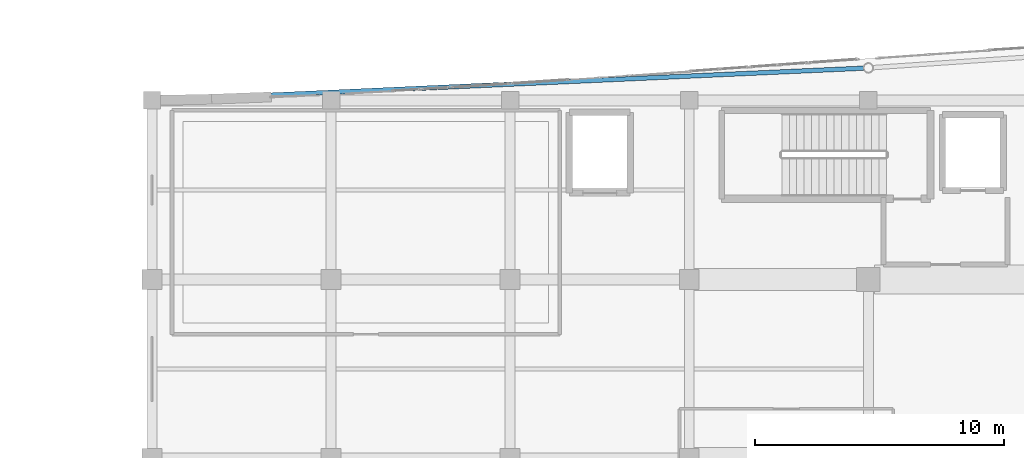
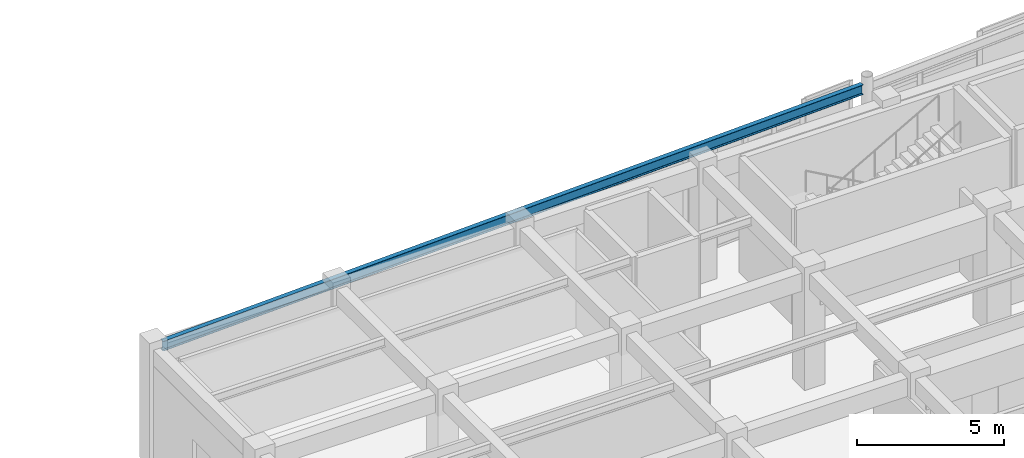
# One storey, part 29 of 117: 1 beam.
"""IFC4 building model written with IfcOpenShell, lengths in metres."""

from ifc_helpers import new_model, si_unit, direction, frame, origin, origin_2d, place, context, subcontext, project, spatial, i_section, extrude, material, material_profile, profile_set, type_object, element, save


model = new_model("IFC4")

# Units and contexts
model_context = context("Model", 3, precision=1e-05, world=origin(), true_north=direction((0.0, 1.0)))
body_context = subcontext(model_context, "Body", "Model", "MODEL_VIEW")
ifc_project = project(units=[si_unit("LENGTHUNIT", "METRE"), si_unit("AREAUNIT", "SQUARE_METRE"), si_unit("VOLUMEUNIT", "CUBIC_METRE"), si_unit("PLANEANGLEUNIT", "RADIAN"), si_unit("MASSUNIT", "GRAM", prefix="KILO")], contexts=[model_context])

# Site, building, storey
site_placement = place(None, origin())
site = spatial("IfcSite", under=ifc_project, at=site_placement, CompositionType="ELEMENT")
building_placement = place(site_placement, origin())
building = spatial("IfcBuilding", under=site, at=building_placement, Name="Carrowvane Square Congress Hotel", CompositionType="ELEMENT")
storey_placement = place(building_placement, frame((0.0, 0.0, 5.39990234375)))
storey = spatial("IfcBuildingStorey", under=building, at=storey_placement, Name="L01", CompositionType="ELEMENT", Elevation=5.39990234375)

# Beam
ifc_material = material(Name="Steel S355", Category="steel")
ifc_material_profile = material_profile(ifc_material, i_section(OverallWidth=0.1787109375, OverallDepth=0.409423828125, WebThickness=0.0087890625, FlangeThickness=0.014404296875, FilletRadius=0.01025390625, at=origin_2d()), Name="UKB 406x178x67")
ifc_profile_set = profile_set([ifc_material_profile], Name="Steel S355")
beam_type = type_object("IfcBeamType", Name="BM-ST-UKB406", PredefinedType="BEAM", material=ifc_profile_set)
beam_placement = place(storey_placement, frame((33.549560546875, 113.415771484375, 4.575439453125), z_axis=(0.998973305659, 0.045302699476, 0.0), x_axis=(-0.045302699476, 0.998973305659, 0.0)))
element("IfcBeam", 1, at=beam_placement, inside=storey, type_object=beam_type, Name="L02 curved north spandrel", PredefinedType="BEAM", context=body_context, shape_type="SweptSolid", body=[
    extrude(i_section(OverallWidth=0.1787109375, OverallDepth=0.409423828125, WebThickness=0.0087890625, FlangeThickness=0.014404296875, FilletRadius=0.01025390625, at=origin_2d()), origin(), (0.0, 0.0, 1.0), 28.276611328125),
])

save(model, "model.ifc")
